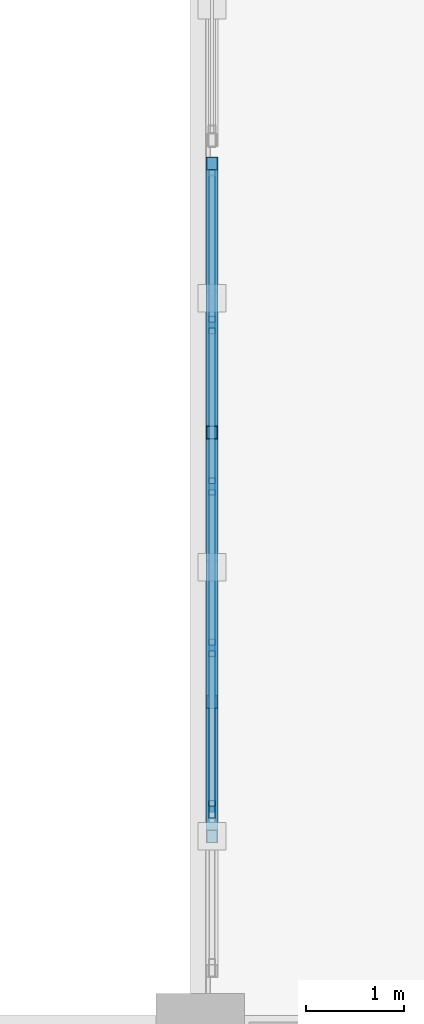
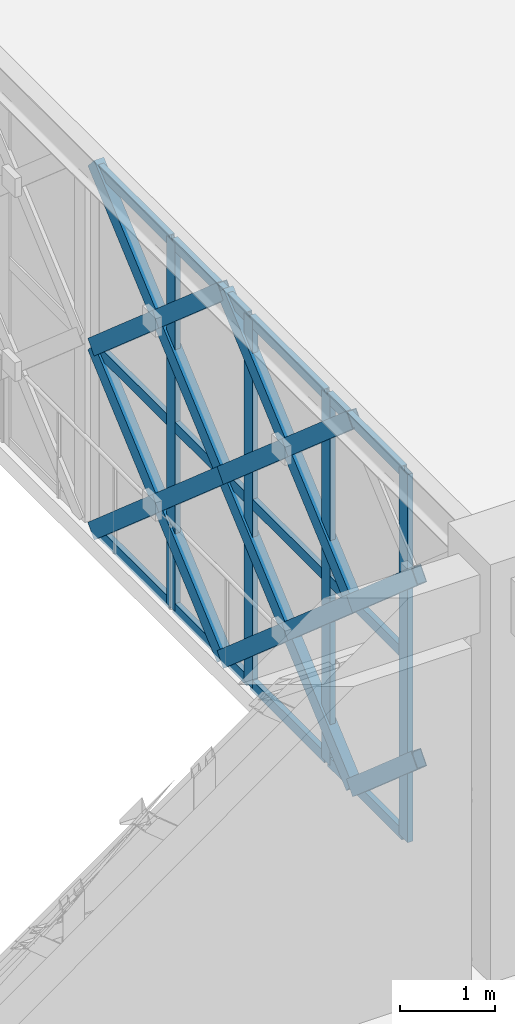
# One storey, part 105 of 166: 30 members, 1 element without a shape of its own.
"""IFC4 building model written with IfcOpenShell, lengths in metres."""

from ifc_helpers import new_model, si_unit, direction, frame, origin, origin_2d, place, context, subcontext, project, spatial, hollow_rectangle, extrude, material, material_profile, profile_set, type_object, element, aggregate, save


model = new_model("IFC4")

# Units and contexts
model_context = context("Model", 3, precision=1e-05, world=origin(), true_north=direction((0.0, 1.0)))
body_context = subcontext(model_context, "Body", "Model", "MODEL_VIEW")
ifc_project = project(units=[si_unit("LENGTHUNIT", "METRE"), si_unit("AREAUNIT", "SQUARE_METRE"), si_unit("VOLUMEUNIT", "CUBIC_METRE"), si_unit("PLANEANGLEUNIT", "RADIAN"), si_unit("MASSUNIT", "GRAM", prefix="KILO")], contexts=[model_context])

# Site, building, storey
site_placement = place(None, origin())
site = spatial("IfcSite", under=ifc_project, at=site_placement, CompositionType="ELEMENT")
building_placement = place(site_placement, origin())
building = spatial("IfcBuilding", under=site, at=building_placement, Name="Haizhuo Lancet Aquarium", CompositionType="ELEMENT")
storey_placement = place(building_placement, frame((0.0, 0.0, 5.39990234375)))
storey = spatial("IfcBuildingStorey", under=building, at=storey_placement, Name="L01", CompositionType="ELEMENT", Elevation=5.39990234375)

# Curtain wall, members
ifc_material_1 = material(Name="Aluminium 6063-T6", Category="aluminium")
curtain_wall_type = type_object("IfcCurtainWallType", Name="CWO-8200x4750", PredefinedType="NOTDEFINED", material=ifc_material_1)
curtain_wall_placement = place(storey_placement, origin())
curtain_wall = element("IfcCurtainWall", 1, at=curtain_wall_placement, inside=storey, type_object=curtain_wall_type, Name="L01 curtain wall CW-SB-02-W1", PredefinedType="NOTDEFINED")
ifc_material_profile_1 = material_profile(ifc_material_1, hollow_rectangle(XDim=0.06494140625, YDim=0.179931640625, WallThickness=0.00390625, at=origin_2d()), Name="ALU-M 65x180x4")
ifc_profile_set_1 = profile_set([ifc_material_profile_1], Name="Aluminium 6063-T6")
member_type_1 = type_object("IfcMemberType", Name="CW-MUL-1", PredefinedType="MULLION", material=ifc_profile_set_1)
member_1_placement = place(storey_placement, frame((54.1201171875, -6.679931640625, 0.0), z_axis=(0.0, 0.0, 1.0), x_axis=(-1.0, 0.0, 0.0)))
member_1 = element("IfcMember", 2, at=member_1_placement, type_object=member_type_1, Name="CWO-82x47 mullion 2", PredefinedType="MULLION", context=body_context, shape_type="SweptSolid", body=[
    extrude(hollow_rectangle(XDim=0.06494140625, YDim=0.179931640625, WallThickness=0.00390625, at=origin_2d()), origin(), (0.0, 0.0, 1.0), 4.75),
])
member_2_placement = place(storey_placement, frame((54.1201171875, -5.0400390625, 0.0), z_axis=(0.0, 0.0, 1.0), x_axis=(-1.0, 0.0, 0.0)))
member_2 = element("IfcMember", 3, at=member_2_placement, type_object=member_type_1, Name="CWO-82x47 mullion 3", PredefinedType="MULLION", context=body_context, shape_type="SweptSolid", body=[
    extrude(hollow_rectangle(XDim=0.06494140625, YDim=0.179931640625, WallThickness=0.00390625, at=origin_2d()), origin(), (0.0, 0.0, 1.0), 4.75),
])
member_3_placement = place(storey_placement, frame((54.1201171875, -3.39990234375, 0.0), z_axis=(0.0, 0.0, 1.0), x_axis=(-1.0, 0.0, 0.0)))
member_3 = element("IfcMember", 4, at=member_3_placement, type_object=member_type_1, Name="CWO-82x47 mullion 4", PredefinedType="MULLION", context=body_context, shape_type="SweptSolid", body=[
    extrude(hollow_rectangle(XDim=0.06494140625, YDim=0.179931640625, WallThickness=0.00390625, at=origin_2d()), origin(), (0.0, 0.0, 1.0), 4.75),
])
member_4_placement = place(storey_placement, frame((54.1201171875, -1.760009765625, 0.0), z_axis=(0.0, 0.0, 1.0), x_axis=(-1.0, 0.0, 0.0)))
member_4 = element("IfcMember", 5, at=member_4_placement, type_object=member_type_1, Name="CWO-82x47 mullion 5", PredefinedType="MULLION", context=body_context, shape_type="SweptSolid", body=[
    extrude(hollow_rectangle(XDim=0.06494140625, YDim=0.179931640625, WallThickness=0.00390625, at=origin_2d()), origin(), (0.0, 0.0, 1.0), 4.75),
])
ifc_material_profile_2 = material_profile(ifc_material_1, hollow_rectangle(XDim=0.06494140625, YDim=0.139892578125, WallThickness=0.00390625, at=origin_2d()), Name="ALU-T 65x140x4")
ifc_profile_set_2 = profile_set([ifc_material_profile_2], Name="Aluminium 6063-T6")
member_type_2 = type_object("IfcMemberType", Name="CW-TRN-1", PredefinedType="NOTDEFINED", material=ifc_profile_set_2)
member_5_placement = place(storey_placement, frame((54.1201171875, -6.64697265625, 0.033203125), z_axis=(0.0, 1.0, 0.0), x_axis=(-1.0, 0.0, 0.0)))
member_5 = element("IfcMember", 6, at=member_5_placement, type_object=member_type_2, Name="CWO-82x47 transom 2.1", ObjectType="TRANSOM", PredefinedType="USERDEFINED", context=body_context, shape_type="SweptSolid", body=[
    extrude(hollow_rectangle(XDim=0.06494140625, YDim=0.139892578125, WallThickness=0.00390625, at=origin_2d()), origin(), (0.0, 0.0, 1.0), 1.574951171875),
])
member_6_placement = place(storey_placement, frame((54.1201171875, -6.64697265625, 2.375), z_axis=(0.0, 1.0, 0.0), x_axis=(-1.0, 0.0, 0.0)))
member_6 = element("IfcMember", 7, at=member_6_placement, type_object=member_type_2, Name="CWO-82x47 transom 2.2", ObjectType="TRANSOM", PredefinedType="USERDEFINED", context=body_context, shape_type="SweptSolid", body=[
    extrude(hollow_rectangle(XDim=0.06494140625, YDim=0.139892578125, WallThickness=0.00390625, at=origin_2d()), origin(), (0.0, 0.0, 1.0), 1.574951171875),
])
member_7_placement = place(storey_placement, frame((54.1201171875, -6.64697265625, 4.717041015625), z_axis=(0.0, 1.0, 0.0), x_axis=(-1.0, 0.0, 0.0)))
member_7 = element("IfcMember", 8, at=member_7_placement, type_object=member_type_2, Name="CWO-82x47 transom 2.3", ObjectType="TRANSOM", PredefinedType="USERDEFINED", context=body_context, shape_type="SweptSolid", body=[
    extrude(hollow_rectangle(XDim=0.06494140625, YDim=0.139892578125, WallThickness=0.00390625, at=origin_2d()), origin(), (0.0, 0.0, 1.0), 1.574951171875),
])
member_8_placement = place(storey_placement, frame((54.1201171875, -5.008056640625, 0.033203125), z_axis=(0.0, 1.0, 0.0), x_axis=(-1.0, 0.0, 0.0)))
member_8 = element("IfcMember", 9, at=member_8_placement, type_object=member_type_2, Name="CWO-82x47 transom 3.1", ObjectType="TRANSOM", PredefinedType="USERDEFINED", context=body_context, shape_type="SweptSolid", body=[
    extrude(hollow_rectangle(XDim=0.06494140625, YDim=0.139892578125, WallThickness=0.00390625, at=origin_2d()), origin(), (0.0, 0.0, 1.0), 1.574951171875),
])
member_9_placement = place(storey_placement, frame((54.1201171875, -5.008056640625, 2.375), z_axis=(0.0, 1.0, 0.0), x_axis=(-1.0, 0.0, 0.0)))
member_9 = element("IfcMember", 10, at=member_9_placement, type_object=member_type_2, Name="CWO-82x47 transom 3.2", ObjectType="TRANSOM", PredefinedType="USERDEFINED", context=body_context, shape_type="SweptSolid", body=[
    extrude(hollow_rectangle(XDim=0.06494140625, YDim=0.139892578125, WallThickness=0.00390625, at=origin_2d()), origin(), (0.0, 0.0, 1.0), 1.574951171875),
])
member_10_placement = place(storey_placement, frame((54.1201171875, -5.008056640625, 4.717041015625), z_axis=(0.0, 1.0, 0.0), x_axis=(-1.0, 0.0, 0.0)))
member_10 = element("IfcMember", 11, at=member_10_placement, type_object=member_type_2, Name="CWO-82x47 transom 3.3", ObjectType="TRANSOM", PredefinedType="USERDEFINED", context=body_context, shape_type="SweptSolid", body=[
    extrude(hollow_rectangle(XDim=0.06494140625, YDim=0.139892578125, WallThickness=0.00390625, at=origin_2d()), origin(), (0.0, 0.0, 1.0), 1.574951171875),
])
member_11_placement = place(storey_placement, frame((54.1201171875, -3.367919921875, 0.033203125), z_axis=(0.0, 1.0, 0.0), x_axis=(-1.0, 0.0, 0.0)))
member_11 = element("IfcMember", 12, at=member_11_placement, type_object=member_type_2, Name="CWO-82x47 transom 4.1", ObjectType="TRANSOM", PredefinedType="USERDEFINED", context=body_context, shape_type="SweptSolid", body=[
    extrude(hollow_rectangle(XDim=0.06494140625, YDim=0.139892578125, WallThickness=0.00390625, at=origin_2d()), origin(), (0.0, 0.0, 1.0), 1.575927734375),
])
member_12_placement = place(storey_placement, frame((54.1201171875, -3.367919921875, 2.375), z_axis=(0.0, 1.0, 0.0), x_axis=(-1.0, 0.0, 0.0)))
member_12 = element("IfcMember", 13, at=member_12_placement, type_object=member_type_2, Name="CWO-82x47 transom 4.2", ObjectType="TRANSOM", PredefinedType="USERDEFINED", context=body_context, shape_type="SweptSolid", body=[
    extrude(hollow_rectangle(XDim=0.06494140625, YDim=0.139892578125, WallThickness=0.00390625, at=origin_2d()), origin(), (0.0, 0.0, 1.0), 1.575927734375),
])
member_13_placement = place(storey_placement, frame((54.1201171875, -3.367919921875, 4.717041015625), z_axis=(0.0, 1.0, 0.0), x_axis=(-1.0, 0.0, 0.0)))
member_13 = element("IfcMember", 14, at=member_13_placement, type_object=member_type_2, Name="CWO-82x47 transom 4.3", ObjectType="TRANSOM", PredefinedType="USERDEFINED", context=body_context, shape_type="SweptSolid", body=[
    extrude(hollow_rectangle(XDim=0.06494140625, YDim=0.139892578125, WallThickness=0.00390625, at=origin_2d()), origin(), (0.0, 0.0, 1.0), 1.575927734375),
])
member_14_placement = place(storey_placement, frame((54.1201171875, -1.72802734375, 0.033203125), z_axis=(0.0, 1.0, 0.0), x_axis=(-1.0, 0.0, 0.0)))
member_14 = element("IfcMember", 15, at=member_14_placement, type_object=member_type_2, Name="CWO-82x47 transom 5.1", ObjectType="TRANSOM", PredefinedType="USERDEFINED", context=body_context, shape_type="SweptSolid", body=[
    extrude(hollow_rectangle(XDim=0.06494140625, YDim=0.139892578125, WallThickness=0.00390625, at=origin_2d()), origin(), (0.0, 0.0, 1.0), 1.54296875),
])
member_15_placement = place(storey_placement, frame((54.1201171875, -1.72802734375, 2.375), z_axis=(0.0, 1.0, 0.0), x_axis=(-1.0, 0.0, 0.0)))
member_15 = element("IfcMember", 16, at=member_15_placement, type_object=member_type_2, Name="CWO-82x47 transom 5.2", ObjectType="TRANSOM", PredefinedType="USERDEFINED", context=body_context, shape_type="SweptSolid", body=[
    extrude(hollow_rectangle(XDim=0.06494140625, YDim=0.139892578125, WallThickness=0.00390625, at=origin_2d()), origin(), (0.0, 0.0, 1.0), 1.54296875),
])
member_16_placement = place(storey_placement, frame((54.1201171875, -1.72802734375, 4.717041015625), z_axis=(0.0, 1.0, 0.0), x_axis=(-1.0, 0.0, 0.0)))
member_16 = element("IfcMember", 17, at=member_16_placement, type_object=member_type_2, Name="CWO-82x47 transom 5.3", ObjectType="TRANSOM", PredefinedType="USERDEFINED", context=body_context, shape_type="SweptSolid", body=[
    extrude(hollow_rectangle(XDim=0.06494140625, YDim=0.139892578125, WallThickness=0.00390625, at=origin_2d()), origin(), (0.0, 0.0, 1.0), 1.54296875),
])
aggregate(curtain_wall, [member_1, member_2, member_3, member_4, member_5, member_6, member_7, member_8, member_9, member_10, member_11, member_12, member_13, member_14, member_15, member_16])

# Members
ifc_material_2 = material(Name="Steel S355", Category="steel")
ifc_material_profile_3 = material_profile(ifc_material_2, hollow_rectangle(XDim=0.1201171875, YDim=0.199951171875, WallThickness=0.008056640625, at=origin_2d()), Name="RHS 120x200x8")
ifc_profile_set_3 = profile_set([ifc_material_profile_3], Name="Steel S355")
member_type_3 = type_object("IfcMemberType", Name="MEM-LB-RHS120x200", PredefinedType="BRACE", material=ifc_profile_set_3)
for number, where, z_axis, x_axis, name in (
    (18, (54.1201171875, -5.5869140625, 0.0), (0.0, -0.754843428724, 0.655905022173), (1.0, 0.0, 0.0), "Gothic lancet split diagonal brace CW-SB-02-W1 1B1"),
    (19, (54.1201171875, -5.5869140625, 2.375), (0.0, -0.754843428724, 0.655905022173), (1.0, 0.0, 0.0), "Gothic lancet split diagonal brace CW-SB-02-W1 2B1"),
):
    element("IfcMember", number, at=place(storey_placement, frame(where, z_axis=z_axis, x_axis=x_axis)), inside=storey, type_object=member_type_3, Name=name, PredefinedType="BRACE", context=body_context, shape_type="SweptSolid", body=[
        extrude(hollow_rectangle(XDim=0.1201171875, YDim=0.199951171875, WallThickness=0.008056640625, at=origin_2d()), origin(), (0.0, 0.0, 1.0), 1.811279296875),
    ])
member_17_placement = place(storey_placement, frame((54.1201171875, -5.5869140625, 0.0), z_axis=(0.0, 0.754918929071, 0.655818123058), x_axis=(-1.0, 0.0, 0.0)))
element("IfcMember", 20, at=member_17_placement, inside=storey, type_object=member_type_3, Name="Gothic lancet continuous diagonal brace CW-SB-02-W1 3A", PredefinedType="BRACE", context=body_context, shape_type="SweptSolid", body=[
    extrude(hollow_rectangle(XDim=0.1201171875, YDim=0.199951171875, WallThickness=0.008056640625, at=origin_2d()), origin(), (0.0, 0.0, 1.0), 3.621337890625),
])
member_18_placement = place(storey_placement, frame((54.1201171875, -2.85302734375, 0.0), z_axis=(0.0, -0.754785430186, 0.655971763401), x_axis=(1.0, 0.0, 0.0)))
element("IfcMember", 21, at=member_18_placement, inside=storey, type_object=member_type_3, Name="Gothic lancet split diagonal brace CW-SB-02-W1 3B1", PredefinedType="BRACE", context=body_context, shape_type="SweptSolid", body=[
    extrude(hollow_rectangle(XDim=0.1201171875, YDim=0.199951171875, WallThickness=0.008056640625, at=origin_2d()), origin(), (0.0, 0.0, 1.0), 1.81103515625),
])
member_19_placement = place(storey_placement, frame((54.1201171875, -4.219970703125, 1.18798828125), z_axis=(0.0, -0.755052443892, 0.655664401179), x_axis=(1.0, 0.0, 0.0)))
element("IfcMember", 22, at=member_19_placement, inside=storey, type_object=member_type_3, Name="Gothic lancet split diagonal brace CW-SB-02-W1 3B2", PredefinedType="BRACE", context=body_context, shape_type="SweptSolid", body=[
    extrude(hollow_rectangle(XDim=0.1201171875, YDim=0.199951171875, WallThickness=0.008056640625, at=origin_2d()), origin(), (0.0, 0.0, 1.0), 1.810302734375),
])
member_20_placement = place(storey_placement, frame((54.1201171875, -5.5869140625, 2.375), z_axis=(0.0, 0.754918929071, 0.655818123058), x_axis=(-1.0, 0.0, 0.0)))
element("IfcMember", 23, at=member_20_placement, inside=storey, type_object=member_type_3, Name="Gothic lancet continuous diagonal brace CW-SB-02-W1 4A", PredefinedType="BRACE", context=body_context, shape_type="SweptSolid", body=[
    extrude(hollow_rectangle(XDim=0.1201171875, YDim=0.199951171875, WallThickness=0.008056640625, at=origin_2d()), origin(), (0.0, 0.0, 1.0), 3.621337890625),
])
member_21_placement = place(storey_placement, frame((54.1201171875, -2.85302734375, 2.375), z_axis=(0.0, -0.754785430186, 0.655971763401), x_axis=(1.0, 0.0, 0.0)))
element("IfcMember", 24, at=member_21_placement, inside=storey, type_object=member_type_3, Name="Gothic lancet split diagonal brace CW-SB-02-W1 4B1", PredefinedType="BRACE", context=body_context, shape_type="SweptSolid", body=[
    extrude(hollow_rectangle(XDim=0.1201171875, YDim=0.199951171875, WallThickness=0.008056640625, at=origin_2d()), origin(), (0.0, 0.0, 1.0), 1.81103515625),
])
member_22_placement = place(storey_placement, frame((54.1201171875, -4.219970703125, 3.56298828125), z_axis=(0.0, -0.755052443892, 0.655664401179), x_axis=(1.0, 0.0, 0.0)))
element("IfcMember", 25, at=member_22_placement, inside=storey, type_object=member_type_3, Name="Gothic lancet split diagonal brace CW-SB-02-W1 4B2", PredefinedType="BRACE", context=body_context, shape_type="SweptSolid", body=[
    extrude(hollow_rectangle(XDim=0.1201171875, YDim=0.199951171875, WallThickness=0.008056640625, at=origin_2d()), origin(), (0.0, 0.0, 1.0), 1.810302734375),
])
member_23_placement = place(storey_placement, frame((54.1201171875, -2.85302734375, 0.0), z_axis=(0.0, 0.754802912694, 0.655951646837), x_axis=(-1.0, 0.0, 0.0)))
element("IfcMember", 26, at=member_23_placement, inside=storey, type_object=member_type_3, Name="Gothic lancet continuous diagonal brace CW-SB-02-W1 5A", PredefinedType="BRACE", context=body_context, shape_type="SweptSolid", body=[
    extrude(hollow_rectangle(XDim=0.1201171875, YDim=0.199951171875, WallThickness=0.008056640625, at=origin_2d()), origin(), (0.0, 0.0, 1.0), 3.62060546875),
])
member_24_placement = place(storey_placement, frame((54.1201171875, -0.1201171875, 0.0), z_axis=(0.0, -0.754785430186, 0.655971763401), x_axis=(1.0, 0.0, 0.0)))
element("IfcMember", 27, at=member_24_placement, inside=storey, type_object=member_type_3, Name="Gothic lancet split diagonal brace CW-SB-02-W1 5B1", PredefinedType="BRACE", context=body_context, shape_type="SweptSolid", body=[
    extrude(hollow_rectangle(XDim=0.1201171875, YDim=0.199951171875, WallThickness=0.008056640625, at=origin_2d()), origin(), (0.0, 0.0, 1.0), 1.81103515625),
])
member_25_placement = place(storey_placement, frame((54.1201171875, -1.487060546875, 1.18798828125), z_axis=(0.0, -0.754820407976, 0.655931514491), x_axis=(1.0, 0.0, 0.0)))
element("IfcMember", 28, at=member_25_placement, inside=storey, type_object=member_type_3, Name="Gothic lancet split diagonal brace CW-SB-02-W1 5B2", PredefinedType="BRACE", context=body_context, shape_type="SweptSolid", body=[
    extrude(hollow_rectangle(XDim=0.1201171875, YDim=0.199951171875, WallThickness=0.008056640625, at=origin_2d()), origin(), (0.0, 0.0, 1.0), 1.8095703125),
])
member_26_placement = place(storey_placement, frame((54.1201171875, -2.85302734375, 2.375), z_axis=(0.0, 0.754802912694, 0.655951646837), x_axis=(-1.0, 0.0, 0.0)))
element("IfcMember", 29, at=member_26_placement, inside=storey, type_object=member_type_3, Name="Gothic lancet continuous diagonal brace CW-SB-02-W1 6A", PredefinedType="BRACE", context=body_context, shape_type="SweptSolid", body=[
    extrude(hollow_rectangle(XDim=0.1201171875, YDim=0.199951171875, WallThickness=0.008056640625, at=origin_2d()), origin(), (0.0, 0.0, 1.0), 3.62060546875),
])
member_27_placement = place(storey_placement, frame((54.1201171875, -0.1201171875, 2.375), z_axis=(0.0, -0.754785430186, 0.655971763401), x_axis=(1.0, 0.0, 0.0)))
element("IfcMember", 30, at=member_27_placement, inside=storey, type_object=member_type_3, Name="Gothic lancet split diagonal brace CW-SB-02-W1 6B1", PredefinedType="BRACE", context=body_context, shape_type="SweptSolid", body=[
    extrude(hollow_rectangle(XDim=0.1201171875, YDim=0.199951171875, WallThickness=0.008056640625, at=origin_2d()), origin(), (0.0, 0.0, 1.0), 1.81103515625),
])
member_28_placement = place(storey_placement, frame((54.1201171875, -1.487060546875, 3.56298828125), z_axis=(0.0, -0.754820407976, 0.655931514491), x_axis=(1.0, 0.0, 0.0)))
element("IfcMember", 31, at=member_28_placement, inside=storey, type_object=member_type_3, Name="Gothic lancet split diagonal brace CW-SB-02-W1 6B2", PredefinedType="BRACE", context=body_context, shape_type="SweptSolid", body=[
    extrude(hollow_rectangle(XDim=0.1201171875, YDim=0.199951171875, WallThickness=0.008056640625, at=origin_2d()), origin(), (0.0, 0.0, 1.0), 1.8095703125),
])

save(model, "model.ifc")
